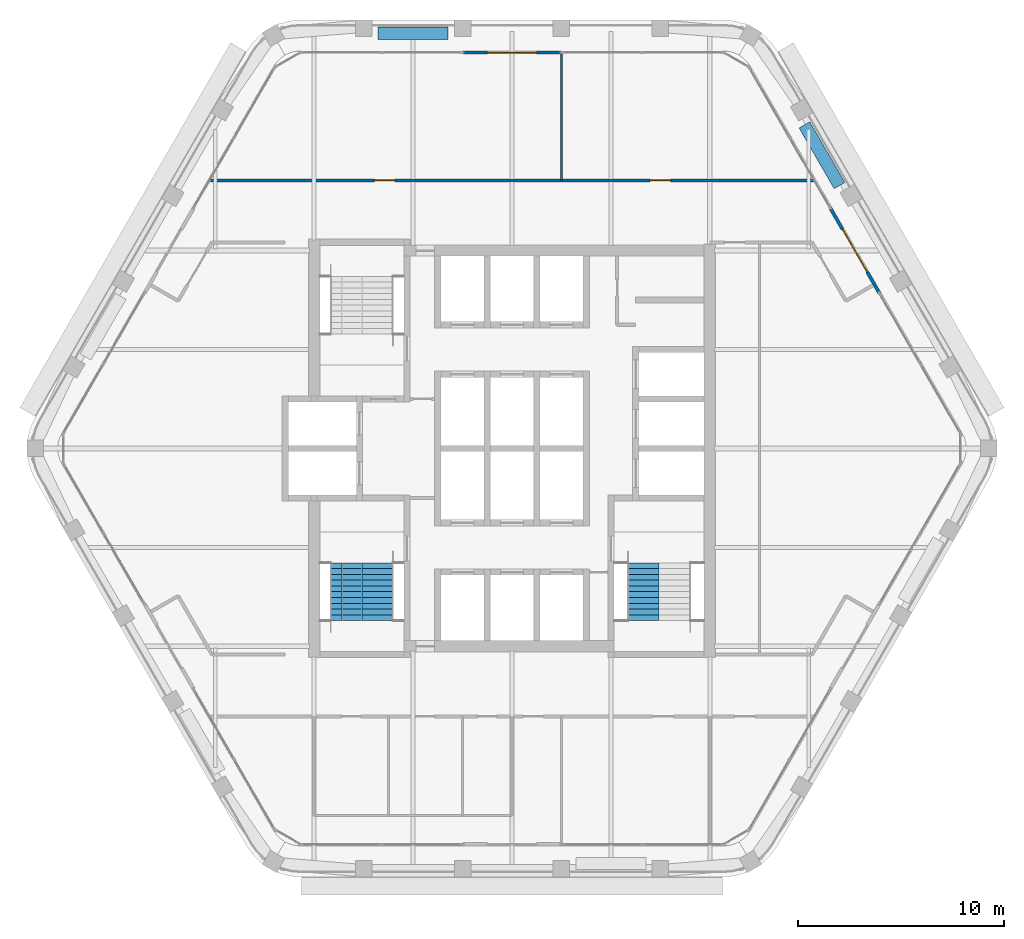
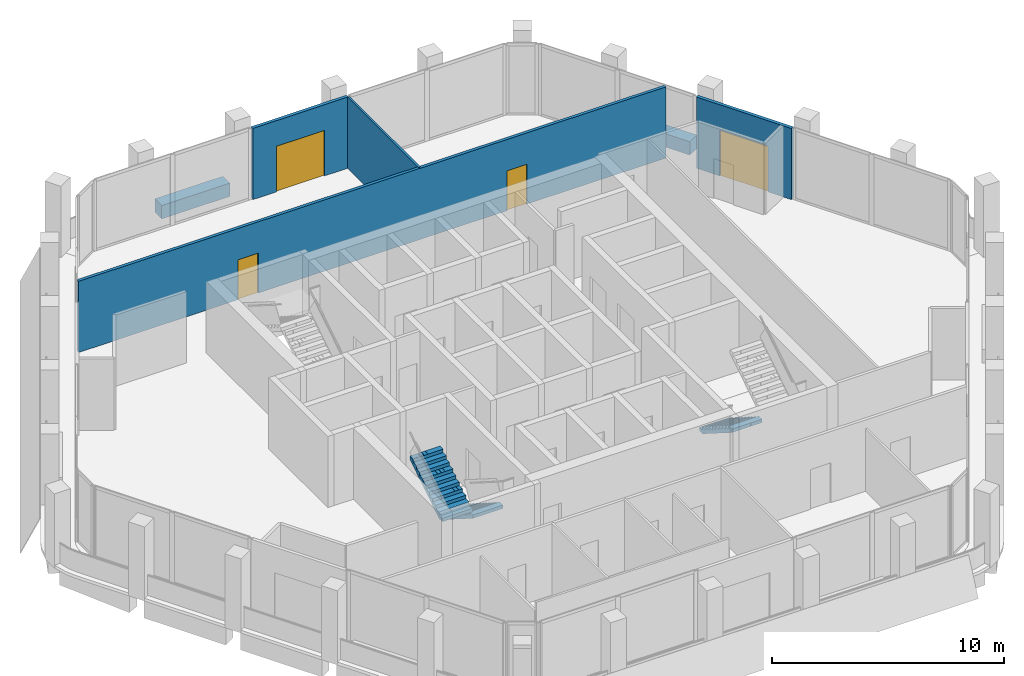
# One storey, part 10 of 13: 6 walls, 4 doors, 3 stair flights, 4 openings, 2 elements without a shape of their own.
"""IFC4 building model written with IfcOpenShell, lengths in metres."""

from ifc_helpers import new_model, si_unit, direction, frame, frame_2d, origin, place, context, subcontext, project, spatial, polyline, rectangle, outline, extrude, material, layer, layer_set, type_object, element, fill, aggregate, save


model = new_model("IFC4")

# Units and contexts
model_context = context("Model", 3, precision=1e-05, world=origin(), true_north=direction((0.0, 1.0)))
body_context = subcontext(model_context, "Body", "Model", "MODEL_VIEW")
ifc_project = project(units=[si_unit("LENGTHUNIT", "METRE"), si_unit("AREAUNIT", "SQUARE_METRE"), si_unit("VOLUMEUNIT", "CUBIC_METRE"), si_unit("PLANEANGLEUNIT", "RADIAN"), si_unit("MASSUNIT", "GRAM", prefix="KILO")], contexts=[model_context])

# Site, building, storey
site_placement = place(None, origin())
site = spatial("IfcSite", under=ifc_project, at=site_placement, CompositionType="ELEMENT")
building_placement = place(site_placement, origin())
building = spatial("IfcBuilding", under=site, at=building_placement, Name="Kolab Exchange Tower", CompositionType="ELEMENT")
storey_placement = place(building_placement, frame((0.0, 0.0, 273.5)))
storey = spatial("IfcBuildingStorey", under=building, at=storey_placement, Name="L61", CompositionType="ELEMENT", Elevation=273.5)

# Wall, opening, door
ifc_material_1 = material(Name="Aluminium EN AW-6063 T6", Category="aluminium")
ifc_layer_1 = layer(ifc_material_1, 0.159912109375)
ifc_layer_set_1 = layer_set([ifc_layer_1], Name="Aluminium EN AW-6063 T6")
wall_type_1 = type_object("IfcWallType", Name="DOOR SURROUND WALL 160 ALUMINIUM FRAMED", PredefinedType="PARTITIONING", material=ifc_layer_set_1)
wall_1_placement = place(storey_placement, frame((-2.3701171875, 19.20458984375, 0.0), z_axis=(0.0, 0.0, 1.0), x_axis=(1.0, 0.0, 0.0)))
wall_1 = element("IfcWall", 1, at=wall_1_placement, inside=storey, type_object=wall_type_1, Name="Door surround wall", PredefinedType="PARTITIONING", context=body_context, shape_type="SweptSolid", body=[
    extrude(rectangle(XDim=4.740234375, YDim=0.159912109375, at=frame_2d((2.3701171875, 0.0))), origin(), (0.0, 0.0, 1.0), 3.75),
])
opening_1_placement = place(wall_1_placement, frame((1.169921875, 0.0, 0.0)))
opening_1 = element("IfcOpeningElement", 2, at=opening_1_placement, cuts=wall_1, Name="Opening GD1-089", PredefinedType="OPENING", context=body_context, shape_type="SweptSolid", body=[
    extrude(rectangle(XDim=2.39990234375, YDim=2.39990234375, at=frame_2d((1.199951171875, 1.199951171875))), frame((0.0, 0.08984375, 0.0), z_axis=(0.0, -1.0, 0.0), x_axis=(1.0, 0.0, 0.0)), (0.0, 0.0, 1.0), 0.179931640625),
])
door_type_1 = type_object("IfcDoorType", Name="LOGGIA SLIDING GLASS DOOR 2400 X 2400", OperationType="DOUBLE_DOOR_SINGLE_SWING", PredefinedType="DOOR", material=ifc_material_1)
door_1_placement = place(opening_1_placement, origin())
door_1 = element("IfcDoor", 3, at=door_1_placement, inside=storey, type_object=door_type_1, Name="Loggia door", OperationType="DOUBLE_DOOR_SLIDING", OverallHeight=2.39990234375, OverallWidth=2.39990234375, PredefinedType="DOOR", context=body_context, shape_type="SweptSolid", body=[
    extrude(rectangle(XDim=2.39990234375, YDim=2.39990234375, at=frame_2d((1.199951171875, 1.199951171875))), frame((0.0, 0.02490234375, 0.0), z_axis=(0.0, -1.0, 0.0), x_axis=(1.0, 0.0, 0.0)), (0.0, 0.0, 1.0), 0.050048828125),
])
fill(opening_1, door_1)

wall_2_placement = place(storey_placement, frame((15.44677734375, 11.65478515625, 0.0), z_axis=(0.0, 0.0, 1.0), x_axis=(0.499978080042, -0.866038058908, 0.0)))
wall_2 = element("IfcWall", 4, at=wall_2_placement, inside=storey, type_object=wall_type_1, Name="Door surround wall", PredefinedType="PARTITIONING", context=body_context, shape_type="SweptSolid", body=[
    extrude(rectangle(XDim=4.739990234375, YDim=0.159912109375, at=frame_2d((2.3701171875, 0.0))), origin(), (0.0, 0.0, 1.0), 3.75),
])
opening_2_placement = place(wall_2_placement, frame((1.169921875, 0.0, 0.0)))
opening_2 = element("IfcOpeningElement", 5, at=opening_2_placement, cuts=wall_2, Name="Opening GD1-090", PredefinedType="OPENING", context=body_context, shape_type="SweptSolid", body=[
    extrude(rectangle(XDim=2.39990234375, YDim=2.39990234375, at=frame_2d((1.199951171875, 1.199951171875))), frame((0.0, 0.08984375, 0.0), z_axis=(0.0, -1.0, 0.0), x_axis=(1.0, 0.0, 0.0)), (0.0, 0.0, 1.0), 0.179931640625),
])
door_2_placement = place(opening_2_placement, origin())
door_2 = element("IfcDoor", 6, at=door_2_placement, inside=storey, type_object=door_type_1, Name="Loggia door", OperationType="DOUBLE_DOOR_SLIDING", OverallHeight=2.39990234375, OverallWidth=2.39990234375, PredefinedType="DOOR", context=body_context, shape_type="SweptSolid", body=[
    extrude(rectangle(XDim=2.39990234375, YDim=2.39990234375, at=frame_2d((1.199951171875, 1.199951171875))), frame((0.0, 0.02490234375, 0.0), z_axis=(0.0, -1.0, 0.0), x_axis=(1.0, 0.0, 0.0)), (0.0, 0.0, 1.0), 0.050048828125),
])
fill(opening_2, door_2)

# Wall
ifc_material_2 = material(Name="Gypsum board", Category="gypsum")
ifc_layer_2 = layer(ifc_material_2, 0.10009765625)
ifc_layer_set_2 = layer_set([ifc_layer_2], Name="Gypsum board")
wall_type_2 = type_object("IfcWallType", Name="PARTITION 100", PredefinedType="PARTITIONING", material=ifc_layer_set_2)
wall_3_placement = place(storey_placement, frame((2.39990234375, 13.0, 0.0), z_axis=(0.0, 0.0, 1.0), x_axis=(0.0, 1.0, 0.0)))
element("IfcWall", 7, at=wall_3_placement, inside=storey, type_object=wall_type_2, Name="Partition 004", PredefinedType="PARTITIONING", context=body_context, shape_type="SweptSolid", body=[
    extrude(rectangle(XDim=6.12451171875, YDim=0.10009765625, at=frame_2d((3.062255859375, 0.0))), origin(), (0.0, 0.0, 1.0), 3.75),
])

# Wall, openings, doors
ifc_layer_3 = layer(ifc_material_2, 0.14990234375)
ifc_layer_set_3 = layer_set([ifc_layer_3], Name="Gypsum board")
wall_type_3 = type_object("IfcWallType", Name="PARTITION 150 FIRE-RATED", PredefinedType="PARTITIONING", material=ifc_layer_set_3)
wall_4_placement = place(storey_placement, frame((-14.623779296875, 13.0, 0.0), z_axis=(0.0, 0.0, 1.0), x_axis=(1.0, 0.0, 0.0)))
wall_4 = element("IfcWall", 8, at=wall_4_placement, inside=storey, type_object=wall_type_3, Name="Partition 025", PredefinedType="PARTITIONING", context=body_context, shape_type="SweptSolid", body=[
    extrude(rectangle(XDim=29.24755859375, YDim=0.14990234375, at=frame_2d((14.623779296875, 0.0))), origin(), (0.0, 0.0, 1.0), 3.75),
])
opening_3_placement = place(wall_4_placement, frame((7.942626953125, 0.0, 0.0)))
opening_3 = element("IfcOpeningElement", 9, at=opening_3_placement, cuts=wall_4, Name="Opening D1-727", PredefinedType="OPENING", context=body_context, shape_type="SweptSolid", body=[
    extrude(rectangle(XDim=1.0, YDim=2.10009765625, at=frame_2d((0.5, 1.050048828125))), frame((0.0, 0.0849609375, 0.0), z_axis=(0.0, -1.0, 0.0), x_axis=(1.0, 0.0, 0.0)), (0.0, 0.0, 1.0), 0.169921875),
])
opening_4_placement = place(wall_4_placement, frame((21.32373046875, 0.0, 0.0)))
opening_4 = element("IfcOpeningElement", 10, at=opening_4_placement, cuts=wall_4, Name="Opening D1-728", PredefinedType="OPENING", context=body_context, shape_type="SweptSolid", body=[
    extrude(rectangle(XDim=1.0, YDim=2.10009765625, at=frame_2d((0.5, 1.050048828125))), frame((0.0, 0.0849609375, 0.0), z_axis=(0.0, -1.0, 0.0), x_axis=(1.0, 0.0, 0.0)), (0.0, 0.0, 1.0), 0.169921875),
])
ifc_material_3 = material(Name="Steel S235", Category="steel")
door_type_2 = type_object("IfcDoorType", Name="FLUSH DOOR 1000 FD60", OperationType="SINGLE_SWING_LEFT", PredefinedType="DOOR", material=ifc_material_3)
door_3_placement = place(opening_3_placement, origin())
door_3 = element("IfcDoor", 11, at=door_3_placement, inside=storey, type_object=door_type_2, Name="Door L61-029", OperationType="SINGLE_SWING_LEFT", OverallHeight=2.10009765625, OverallWidth=1.0, PredefinedType="DOOR", context=body_context, shape_type="SweptSolid", body=[
    extrude(rectangle(XDim=1.0, YDim=2.10009765625, at=frame_2d((0.5, 1.050048828125))), frame((0.0, 0.02490234375, 0.0), z_axis=(0.0, -1.0, 0.0), x_axis=(1.0, 0.0, 0.0)), (0.0, 0.0, 1.0), 0.050048828125),
])
fill(opening_3, door_3)
door_4_placement = place(opening_4_placement, origin())
door_4 = element("IfcDoor", 12, at=door_4_placement, inside=storey, type_object=door_type_2, Name="Door L61-030", OperationType="SINGLE_SWING_LEFT", OverallHeight=2.10009765625, OverallWidth=1.0, PredefinedType="DOOR", context=body_context, shape_type="SweptSolid", body=[
    extrude(rectangle(XDim=1.0, YDim=2.10009765625, at=frame_2d((0.5, 1.050048828125))), frame((0.0, 0.02490234375, 0.0), z_axis=(0.0, -1.0, 0.0), x_axis=(1.0, 0.0, 0.0)), (0.0, 0.0, 1.0), 0.050048828125),
])
fill(opening_4, door_4)

# Walls
ifc_material_4 = material(Name="Granite facing", Category="masonry")
ifc_layer_4 = layer(ifc_material_4, 0.0400390625)
ifc_material_5 = material(Name="Concrete C40/50 precast", Category="concrete")
ifc_layer_5 = layer(ifc_material_5, 0.56005859375)
ifc_layer_set_4 = layer_set([ifc_layer_4, ifc_layer_5], Name="Concrete C40/50 precast")
wall_type_4 = type_object("IfcWallType", Name="PLANTER BOX 600 X 700 SOIL DEPTH 550", PredefinedType="USERDEFINED", material=ifc_layer_set_4)
wall_5_placement = place(storey_placement, frame((-6.5, 20.134521484375, 0.0), z_axis=(0.0, 0.0, 1.0), x_axis=(1.0, 0.0, 0.0)))
element("IfcWall", 13, at=wall_5_placement, inside=storey, type_object=wall_type_4, Name="Planter", ObjectType="PLANTER", PredefinedType="USERDEFINED", context=body_context, shape_type="SweptSolid", body=[
    extrude(rectangle(XDim=3.39990234375, YDim=0.60009765625, at=frame_2d((1.699951171875, 0.0))), origin(), (0.0, 0.0, 1.0), 0.699951171875),
])
wall_6_placement = place(storey_placement, frame((14.18701171875, 15.696533203125, 0.0), z_axis=(0.0, 0.0, 1.0), x_axis=(0.499977295307, -0.866038511948, 0.0)))
element("IfcWall", 14, at=wall_6_placement, inside=storey, type_object=wall_type_4, Name="Planter", ObjectType="PLANTER", PredefinedType="USERDEFINED", context=body_context, shape_type="SweptSolid", body=[
    extrude(rectangle(XDim=3.400146484375, YDim=0.60009765625, at=frame_2d((1.7001953125, 0.0))), origin(), (0.0, 0.0, 1.0), 0.699951171875),
])

# Stair, stair flights
ifc_material_6 = material(Name="Concrete C50/60", Category="concrete")
stair_type_1 = type_object("IfcStairType", Name="STAIR ST3 RISER 177.3", PredefinedType="HALF_TURN_STAIR", material=ifc_material_6)
stair_1_placement = place(storey_placement, origin())
stair_1 = element("IfcStair", 15, at=stair_1_placement, inside=storey, type_object=stair_type_1, Name="Stair 3", PredefinedType="HALF_TURN_STAIR")
stair_flight_type = type_object("IfcStairFlightType", Name="STAIR FLIGHT 1500 RISER 177.3", PredefinedType="STRAIGHT", material=ifc_material_6)
stair_flight_1_placement = place(storey_placement, frame((-6.527587890625, -5.550048828125, 0.0), z_axis=(0.0, 0.0, 1.0), x_axis=(0.0, -1.0, 0.0)))
stair_flight_1 = element("IfcStairFlight", 16, at=stair_flight_1_placement, type_object=stair_flight_type, Name="ST3 flight 1", NumberOfRisers=11, NumberOfTreads=10, PredefinedType="STRAIGHT", RiserHeight=0.177272727, TreadLength=0.28, context=body_context, shape_type="SweptSolid", body=[
    extrude(outline(polyline([(0.0, 0.0), (0.0, 0.17724609375), (0.280029296875, 0.17724609375), (0.280029296875, 0.3544921875), (0.56005859375, 0.3544921875), (0.56005859375, 0.53173828125), (0.840087890625, 0.53173828125), (0.840087890625, 0.708984375), (1.1201171875, 0.708984375), (1.1201171875, 0.886474609375), (1.39990234375, 0.886474609375), (1.39990234375, 1.063720703125), (1.679931640625, 1.063720703125), (1.679931640625, 1.240966796875), (1.9599609375, 1.240966796875), (1.9599609375, 1.418212890625), (2.239990234375, 1.418212890625), (2.239990234375, 1.595458984375), (2.52001953125, 1.595458984375), (2.52001953125, 1.772705078125), (2.800048828125, 1.772705078125), (2.800048828125, 1.949951171875), (2.800048828125, 1.59521484375), (0.2802734375, 0.0), (0.0, 0.0)])), frame((0.0, 0.75, 0.0), z_axis=(0.0, -1.0, 0.0), x_axis=(1.0, 0.0, 0.0)), (0.0, 0.0, 1.0), 0.185791015625),
    extrude(outline(polyline([(0.0, 0.0), (0.0, 0.17724609375), (0.280029296875, 0.17724609375), (0.280029296875, 0.3544921875), (0.56005859375, 0.3544921875), (0.56005859375, 0.53173828125), (0.840087890625, 0.53173828125), (0.840087890625, 0.708984375), (1.1201171875, 0.708984375), (1.1201171875, 0.886474609375), (1.39990234375, 0.886474609375), (1.39990234375, 1.063720703125), (1.679931640625, 1.063720703125), (1.679931640625, 1.240966796875), (1.9599609375, 1.240966796875), (1.9599609375, 1.418212890625), (2.239990234375, 1.418212890625), (2.239990234375, 1.595458984375), (2.52001953125, 1.595458984375), (2.52001953125, 1.772705078125), (2.800048828125, 1.772705078125), (2.800048828125, 1.949951171875), (2.800048828125, 1.59521484375), (0.2802734375, 0.0), (0.0, 0.0)])), frame((0.0, 0.562255859375, 0.0), z_axis=(0.0, -1.0, 0.0), x_axis=(1.0, 0.0, 0.0)), (0.0, 0.0, 1.0), 0.185791015625),
    extrude(outline(polyline([(0.0, 0.0), (0.0, 0.17724609375), (0.280029296875, 0.17724609375), (0.280029296875, 0.3544921875), (0.56005859375, 0.3544921875), (0.56005859375, 0.53173828125), (0.840087890625, 0.53173828125), (0.840087890625, 0.708984375), (1.1201171875, 0.708984375), (1.1201171875, 0.886474609375), (1.39990234375, 0.886474609375), (1.39990234375, 1.063720703125), (1.679931640625, 1.063720703125), (1.679931640625, 1.240966796875), (1.9599609375, 1.240966796875), (1.9599609375, 1.418212890625), (2.239990234375, 1.418212890625), (2.239990234375, 1.595458984375), (2.52001953125, 1.595458984375), (2.52001953125, 1.772705078125), (2.800048828125, 1.772705078125), (2.800048828125, 1.949951171875), (2.800048828125, 1.59521484375), (0.2802734375, 0.0), (0.0, 0.0)])), frame((0.0, 0.37451171875, 0.0), z_axis=(0.0, -1.0, 0.0), x_axis=(1.0, 0.0, 0.0)), (0.0, 0.0, 1.0), 0.185791015625),
    extrude(outline(polyline([(0.0, 0.0), (0.0, 0.17724609375), (0.280029296875, 0.17724609375), (0.280029296875, 0.3544921875), (0.56005859375, 0.3544921875), (0.56005859375, 0.53173828125), (0.840087890625, 0.53173828125), (0.840087890625, 0.708984375), (1.1201171875, 0.708984375), (1.1201171875, 0.886474609375), (1.39990234375, 0.886474609375), (1.39990234375, 1.063720703125), (1.679931640625, 1.063720703125), (1.679931640625, 1.240966796875), (1.9599609375, 1.240966796875), (1.9599609375, 1.418212890625), (2.239990234375, 1.418212890625), (2.239990234375, 1.595458984375), (2.52001953125, 1.595458984375), (2.52001953125, 1.772705078125), (2.800048828125, 1.772705078125), (2.800048828125, 1.949951171875), (2.800048828125, 1.59521484375), (0.2802734375, 0.0), (0.0, 0.0)])), frame((0.0, 0.186767578125, 0.0), z_axis=(0.0, -1.0, 0.0), x_axis=(1.0, 0.0, 0.0)), (0.0, 0.0, 1.0), 0.185791015625),
    extrude(outline(polyline([(0.0, 0.0), (0.0, 0.17724609375), (0.280029296875, 0.17724609375), (0.280029296875, 0.3544921875), (0.56005859375, 0.3544921875), (0.56005859375, 0.53173828125), (0.840087890625, 0.53173828125), (0.840087890625, 0.708984375), (1.1201171875, 0.708984375), (1.1201171875, 0.886474609375), (1.39990234375, 0.886474609375), (1.39990234375, 1.063720703125), (1.679931640625, 1.063720703125), (1.679931640625, 1.240966796875), (1.9599609375, 1.240966796875), (1.9599609375, 1.418212890625), (2.239990234375, 1.418212890625), (2.239990234375, 1.595458984375), (2.52001953125, 1.595458984375), (2.52001953125, 1.772705078125), (2.800048828125, 1.772705078125), (2.800048828125, 1.949951171875), (2.800048828125, 1.59521484375), (0.2802734375, 0.0), (0.0, 0.0)])), frame((0.0, -0.0009765625, 0.0), z_axis=(0.0, -1.0, 0.0), x_axis=(1.0, 0.0, 0.0)), (0.0, 0.0, 1.0), 0.185791015625),
    extrude(outline(polyline([(0.0, 0.0), (0.0, 0.17724609375), (0.280029296875, 0.17724609375), (0.280029296875, 0.3544921875), (0.56005859375, 0.3544921875), (0.56005859375, 0.53173828125), (0.840087890625, 0.53173828125), (0.840087890625, 0.708984375), (1.1201171875, 0.708984375), (1.1201171875, 0.886474609375), (1.39990234375, 0.886474609375), (1.39990234375, 1.063720703125), (1.679931640625, 1.063720703125), (1.679931640625, 1.240966796875), (1.9599609375, 1.240966796875), (1.9599609375, 1.418212890625), (2.239990234375, 1.418212890625), (2.239990234375, 1.595458984375), (2.52001953125, 1.595458984375), (2.52001953125, 1.772705078125), (2.800048828125, 1.772705078125), (2.800048828125, 1.949951171875), (2.800048828125, 1.59521484375), (0.2802734375, 0.0), (0.0, 0.0)])), frame((0.0, -0.188720703125, 0.0), z_axis=(0.0, -1.0, 0.0), x_axis=(1.0, 0.0, 0.0)), (0.0, 0.0, 1.0), 0.185791015625),
    extrude(outline(polyline([(0.0, 0.0), (0.0, 0.17724609375), (0.280029296875, 0.17724609375), (0.280029296875, 0.3544921875), (0.56005859375, 0.3544921875), (0.56005859375, 0.53173828125), (0.840087890625, 0.53173828125), (0.840087890625, 0.708984375), (1.1201171875, 0.708984375), (1.1201171875, 0.886474609375), (1.39990234375, 0.886474609375), (1.39990234375, 1.063720703125), (1.679931640625, 1.063720703125), (1.679931640625, 1.240966796875), (1.9599609375, 1.240966796875), (1.9599609375, 1.418212890625), (2.239990234375, 1.418212890625), (2.239990234375, 1.595458984375), (2.52001953125, 1.595458984375), (2.52001953125, 1.772705078125), (2.800048828125, 1.772705078125), (2.800048828125, 1.949951171875), (2.800048828125, 1.59521484375), (0.2802734375, 0.0), (0.0, 0.0)])), frame((0.0, -0.37646484375, 0.0), z_axis=(0.0, -1.0, 0.0), x_axis=(1.0, 0.0, 0.0)), (0.0, 0.0, 1.0), 0.185791015625),
    extrude(outline(polyline([(0.0, 0.0), (0.0, 0.17724609375), (0.280029296875, 0.17724609375), (0.280029296875, 0.3544921875), (0.56005859375, 0.3544921875), (0.56005859375, 0.53173828125), (0.840087890625, 0.53173828125), (0.840087890625, 0.708984375), (1.1201171875, 0.708984375), (1.1201171875, 0.886474609375), (1.39990234375, 0.886474609375), (1.39990234375, 1.063720703125), (1.679931640625, 1.063720703125), (1.679931640625, 1.240966796875), (1.9599609375, 1.240966796875), (1.9599609375, 1.418212890625), (2.239990234375, 1.418212890625), (2.239990234375, 1.595458984375), (2.52001953125, 1.595458984375), (2.52001953125, 1.772705078125), (2.800048828125, 1.772705078125), (2.800048828125, 1.949951171875), (2.800048828125, 1.59521484375), (0.2802734375, 0.0), (0.0, 0.0)])), frame((0.0, -0.564208984375, 0.0), z_axis=(0.0, -1.0, 0.0), x_axis=(1.0, 0.0, 0.0)), (0.0, 0.0, 1.0), 0.185791015625),
])
stair_flight_2_placement = place(storey_placement, frame((-8.047607421875, -8.35009765625, 1.949951171875), z_axis=(0.0, 0.0, 1.0), x_axis=(0.0, 1.0, 0.0)))
stair_flight_2 = element("IfcStairFlight", 17, at=stair_flight_2_placement, type_object=stair_flight_type, Name="ST3 flight 2", NumberOfRisers=11, NumberOfTreads=10, PredefinedType="STRAIGHT", RiserHeight=0.177272727, TreadLength=0.28, context=body_context, shape_type="SweptSolid", body=[
    extrude(outline(polyline([(0.0, 0.0), (0.0, 0.17724609375), (0.280029296875, 0.17724609375), (0.280029296875, 0.3544921875), (0.56005859375, 0.3544921875), (0.56005859375, 0.53173828125), (0.840087890625, 0.53173828125), (0.840087890625, 0.708984375), (1.1201171875, 0.708984375), (1.1201171875, 0.886474609375), (1.39990234375, 0.886474609375), (1.39990234375, 1.063720703125), (1.679931640625, 1.063720703125), (1.679931640625, 1.240966796875), (1.9599609375, 1.240966796875), (1.9599609375, 1.418212890625), (2.239990234375, 1.418212890625), (2.239990234375, 1.595458984375), (2.52001953125, 1.595458984375), (2.52001953125, 1.772705078125), (2.800048828125, 1.772705078125), (2.800048828125, 1.949951171875), (2.800048828125, 1.59521484375), (0.2802734375, 0.0), (0.0, 0.0)])), frame((0.0, 0.75, 0.0), z_axis=(0.0, -1.0, 0.0), x_axis=(1.0, 0.0, 0.0)), (0.0, 0.0, 1.0), 0.185791015625),
    extrude(outline(polyline([(0.0, 0.0), (0.0, 0.17724609375), (0.280029296875, 0.17724609375), (0.280029296875, 0.3544921875), (0.56005859375, 0.3544921875), (0.56005859375, 0.53173828125), (0.840087890625, 0.53173828125), (0.840087890625, 0.708984375), (1.1201171875, 0.708984375), (1.1201171875, 0.886474609375), (1.39990234375, 0.886474609375), (1.39990234375, 1.063720703125), (1.679931640625, 1.063720703125), (1.679931640625, 1.240966796875), (1.9599609375, 1.240966796875), (1.9599609375, 1.418212890625), (2.239990234375, 1.418212890625), (2.239990234375, 1.595458984375), (2.52001953125, 1.595458984375), (2.52001953125, 1.772705078125), (2.800048828125, 1.772705078125), (2.800048828125, 1.949951171875), (2.800048828125, 1.59521484375), (0.2802734375, 0.0), (0.0, 0.0)])), frame((0.0, 0.562255859375, 0.0), z_axis=(0.0, -1.0, 0.0), x_axis=(1.0, 0.0, 0.0)), (0.0, 0.0, 1.0), 0.185791015625),
    extrude(outline(polyline([(0.0, 0.0), (0.0, 0.17724609375), (0.280029296875, 0.17724609375), (0.280029296875, 0.3544921875), (0.56005859375, 0.3544921875), (0.56005859375, 0.53173828125), (0.840087890625, 0.53173828125), (0.840087890625, 0.708984375), (1.1201171875, 0.708984375), (1.1201171875, 0.886474609375), (1.39990234375, 0.886474609375), (1.39990234375, 1.063720703125), (1.679931640625, 1.063720703125), (1.679931640625, 1.240966796875), (1.9599609375, 1.240966796875), (1.9599609375, 1.418212890625), (2.239990234375, 1.418212890625), (2.239990234375, 1.595458984375), (2.52001953125, 1.595458984375), (2.52001953125, 1.772705078125), (2.800048828125, 1.772705078125), (2.800048828125, 1.949951171875), (2.800048828125, 1.59521484375), (0.2802734375, 0.0), (0.0, 0.0)])), frame((0.0, 0.37451171875, 0.0), z_axis=(0.0, -1.0, 0.0), x_axis=(1.0, 0.0, 0.0)), (0.0, 0.0, 1.0), 0.185791015625),
    extrude(outline(polyline([(0.0, 0.0), (0.0, 0.17724609375), (0.280029296875, 0.17724609375), (0.280029296875, 0.3544921875), (0.56005859375, 0.3544921875), (0.56005859375, 0.53173828125), (0.840087890625, 0.53173828125), (0.840087890625, 0.708984375), (1.1201171875, 0.708984375), (1.1201171875, 0.886474609375), (1.39990234375, 0.886474609375), (1.39990234375, 1.063720703125), (1.679931640625, 1.063720703125), (1.679931640625, 1.240966796875), (1.9599609375, 1.240966796875), (1.9599609375, 1.418212890625), (2.239990234375, 1.418212890625), (2.239990234375, 1.595458984375), (2.52001953125, 1.595458984375), (2.52001953125, 1.772705078125), (2.800048828125, 1.772705078125), (2.800048828125, 1.949951171875), (2.800048828125, 1.59521484375), (0.2802734375, 0.0), (0.0, 0.0)])), frame((0.0, 0.186767578125, 0.0), z_axis=(0.0, -1.0, 0.0), x_axis=(1.0, 0.0, 0.0)), (0.0, 0.0, 1.0), 0.185791015625),
    extrude(outline(polyline([(0.0, 0.0), (0.0, 0.17724609375), (0.280029296875, 0.17724609375), (0.280029296875, 0.3544921875), (0.56005859375, 0.3544921875), (0.56005859375, 0.53173828125), (0.840087890625, 0.53173828125), (0.840087890625, 0.708984375), (1.1201171875, 0.708984375), (1.1201171875, 0.886474609375), (1.39990234375, 0.886474609375), (1.39990234375, 1.063720703125), (1.679931640625, 1.063720703125), (1.679931640625, 1.240966796875), (1.9599609375, 1.240966796875), (1.9599609375, 1.418212890625), (2.239990234375, 1.418212890625), (2.239990234375, 1.595458984375), (2.52001953125, 1.595458984375), (2.52001953125, 1.772705078125), (2.800048828125, 1.772705078125), (2.800048828125, 1.949951171875), (2.800048828125, 1.59521484375), (0.2802734375, 0.0), (0.0, 0.0)])), frame((0.0, -0.0009765625, 0.0), z_axis=(0.0, -1.0, 0.0), x_axis=(1.0, 0.0, 0.0)), (0.0, 0.0, 1.0), 0.185791015625),
    extrude(outline(polyline([(0.0, 0.0), (0.0, 0.17724609375), (0.280029296875, 0.17724609375), (0.280029296875, 0.3544921875), (0.56005859375, 0.3544921875), (0.56005859375, 0.53173828125), (0.840087890625, 0.53173828125), (0.840087890625, 0.708984375), (1.1201171875, 0.708984375), (1.1201171875, 0.886474609375), (1.39990234375, 0.886474609375), (1.39990234375, 1.063720703125), (1.679931640625, 1.063720703125), (1.679931640625, 1.240966796875), (1.9599609375, 1.240966796875), (1.9599609375, 1.418212890625), (2.239990234375, 1.418212890625), (2.239990234375, 1.595458984375), (2.52001953125, 1.595458984375), (2.52001953125, 1.772705078125), (2.800048828125, 1.772705078125), (2.800048828125, 1.949951171875), (2.800048828125, 1.59521484375), (0.2802734375, 0.0), (0.0, 0.0)])), frame((0.0, -0.188720703125, 0.0), z_axis=(0.0, -1.0, 0.0), x_axis=(1.0, 0.0, 0.0)), (0.0, 0.0, 1.0), 0.185791015625),
    extrude(outline(polyline([(0.0, 0.0), (0.0, 0.17724609375), (0.280029296875, 0.17724609375), (0.280029296875, 0.3544921875), (0.56005859375, 0.3544921875), (0.56005859375, 0.53173828125), (0.840087890625, 0.53173828125), (0.840087890625, 0.708984375), (1.1201171875, 0.708984375), (1.1201171875, 0.886474609375), (1.39990234375, 0.886474609375), (1.39990234375, 1.063720703125), (1.679931640625, 1.063720703125), (1.679931640625, 1.240966796875), (1.9599609375, 1.240966796875), (1.9599609375, 1.418212890625), (2.239990234375, 1.418212890625), (2.239990234375, 1.595458984375), (2.52001953125, 1.595458984375), (2.52001953125, 1.772705078125), (2.800048828125, 1.772705078125), (2.800048828125, 1.949951171875), (2.800048828125, 1.59521484375), (0.2802734375, 0.0), (0.0, 0.0)])), frame((0.0, -0.37646484375, 0.0), z_axis=(0.0, -1.0, 0.0), x_axis=(1.0, 0.0, 0.0)), (0.0, 0.0, 1.0), 0.185791015625),
    extrude(outline(polyline([(0.0, 0.0), (0.0, 0.17724609375), (0.280029296875, 0.17724609375), (0.280029296875, 0.3544921875), (0.56005859375, 0.3544921875), (0.56005859375, 0.53173828125), (0.840087890625, 0.53173828125), (0.840087890625, 0.708984375), (1.1201171875, 0.708984375), (1.1201171875, 0.886474609375), (1.39990234375, 0.886474609375), (1.39990234375, 1.063720703125), (1.679931640625, 1.063720703125), (1.679931640625, 1.240966796875), (1.9599609375, 1.240966796875), (1.9599609375, 1.418212890625), (2.239990234375, 1.418212890625), (2.239990234375, 1.595458984375), (2.52001953125, 1.595458984375), (2.52001953125, 1.772705078125), (2.800048828125, 1.772705078125), (2.800048828125, 1.949951171875), (2.800048828125, 1.59521484375), (0.2802734375, 0.0), (0.0, 0.0)])), frame((0.0, -0.564208984375, 0.0), z_axis=(0.0, -1.0, 0.0), x_axis=(1.0, 0.0, 0.0)), (0.0, 0.0, 1.0), 0.185791015625),
])
aggregate(stair_1, [stair_flight_1, stair_flight_2])

# Stair, stair flight
stair_type_2 = type_object("IfcStairType", Name="STAIR ST2 RISER 177.3", PredefinedType="HALF_TURN_STAIR", material=ifc_material_6)
stair_2_placement = place(storey_placement, origin())
stair_2 = element("IfcStair", 18, at=stair_2_placement, inside=storey, type_object=stair_type_2, Name="Stair 2", PredefinedType="HALF_TURN_STAIR")
stair_flight_3_placement = place(storey_placement, frame((6.37744140625, -5.550048828125, 0.0), z_axis=(0.0, 0.0, 1.0), x_axis=(0.0, -1.0, 0.0)))
stair_flight_3 = element("IfcStairFlight", 19, at=stair_flight_3_placement, type_object=stair_flight_type, Name="ST2 flight 1", NumberOfRisers=11, NumberOfTreads=10, PredefinedType="STRAIGHT", RiserHeight=0.177272727, TreadLength=0.28, context=body_context, shape_type="SweptSolid", body=[
    extrude(outline(polyline([(0.0, 0.0), (0.0, 0.17724609375), (0.280029296875, 0.17724609375), (0.280029296875, 0.3544921875), (0.56005859375, 0.3544921875), (0.56005859375, 0.53173828125), (0.840087890625, 0.53173828125), (0.840087890625, 0.708984375), (1.1201171875, 0.708984375), (1.1201171875, 0.886474609375), (1.39990234375, 0.886474609375), (1.39990234375, 1.063720703125), (1.679931640625, 1.063720703125), (1.679931640625, 1.240966796875), (1.9599609375, 1.240966796875), (1.9599609375, 1.418212890625), (2.239990234375, 1.418212890625), (2.239990234375, 1.595458984375), (2.52001953125, 1.595458984375), (2.52001953125, 1.772705078125), (2.800048828125, 1.772705078125), (2.800048828125, 1.949951171875), (2.800048828125, 1.59521484375), (0.2802734375, 0.0), (0.0, 0.0)])), frame((0.0, 0.75, 0.0), z_axis=(0.0, -1.0, 0.0), x_axis=(1.0, 0.0, 0.0)), (0.0, 0.0, 1.0), 0.185791015625),
    extrude(outline(polyline([(0.0, 0.0), (0.0, 0.17724609375), (0.280029296875, 0.17724609375), (0.280029296875, 0.3544921875), (0.56005859375, 0.3544921875), (0.56005859375, 0.53173828125), (0.840087890625, 0.53173828125), (0.840087890625, 0.708984375), (1.1201171875, 0.708984375), (1.1201171875, 0.886474609375), (1.39990234375, 0.886474609375), (1.39990234375, 1.063720703125), (1.679931640625, 1.063720703125), (1.679931640625, 1.240966796875), (1.9599609375, 1.240966796875), (1.9599609375, 1.418212890625), (2.239990234375, 1.418212890625), (2.239990234375, 1.595458984375), (2.52001953125, 1.595458984375), (2.52001953125, 1.772705078125), (2.800048828125, 1.772705078125), (2.800048828125, 1.949951171875), (2.800048828125, 1.59521484375), (0.2802734375, 0.0), (0.0, 0.0)])), frame((0.0, 0.562255859375, 0.0), z_axis=(0.0, -1.0, 0.0), x_axis=(1.0, 0.0, 0.0)), (0.0, 0.0, 1.0), 0.185791015625),
    extrude(outline(polyline([(0.0, 0.0), (0.0, 0.17724609375), (0.280029296875, 0.17724609375), (0.280029296875, 0.3544921875), (0.56005859375, 0.3544921875), (0.56005859375, 0.53173828125), (0.840087890625, 0.53173828125), (0.840087890625, 0.708984375), (1.1201171875, 0.708984375), (1.1201171875, 0.886474609375), (1.39990234375, 0.886474609375), (1.39990234375, 1.063720703125), (1.679931640625, 1.063720703125), (1.679931640625, 1.240966796875), (1.9599609375, 1.240966796875), (1.9599609375, 1.418212890625), (2.239990234375, 1.418212890625), (2.239990234375, 1.595458984375), (2.52001953125, 1.595458984375), (2.52001953125, 1.772705078125), (2.800048828125, 1.772705078125), (2.800048828125, 1.949951171875), (2.800048828125, 1.59521484375), (0.2802734375, 0.0), (0.0, 0.0)])), frame((0.0, 0.37451171875, 0.0), z_axis=(0.0, -1.0, 0.0), x_axis=(1.0, 0.0, 0.0)), (0.0, 0.0, 1.0), 0.185791015625),
    extrude(outline(polyline([(0.0, 0.0), (0.0, 0.17724609375), (0.280029296875, 0.17724609375), (0.280029296875, 0.3544921875), (0.56005859375, 0.3544921875), (0.56005859375, 0.53173828125), (0.840087890625, 0.53173828125), (0.840087890625, 0.708984375), (1.1201171875, 0.708984375), (1.1201171875, 0.886474609375), (1.39990234375, 0.886474609375), (1.39990234375, 1.063720703125), (1.679931640625, 1.063720703125), (1.679931640625, 1.240966796875), (1.9599609375, 1.240966796875), (1.9599609375, 1.418212890625), (2.239990234375, 1.418212890625), (2.239990234375, 1.595458984375), (2.52001953125, 1.595458984375), (2.52001953125, 1.772705078125), (2.800048828125, 1.772705078125), (2.800048828125, 1.949951171875), (2.800048828125, 1.59521484375), (0.2802734375, 0.0), (0.0, 0.0)])), frame((0.0, 0.186767578125, 0.0), z_axis=(0.0, -1.0, 0.0), x_axis=(1.0, 0.0, 0.0)), (0.0, 0.0, 1.0), 0.185791015625),
    extrude(outline(polyline([(0.0, 0.0), (0.0, 0.17724609375), (0.280029296875, 0.17724609375), (0.280029296875, 0.3544921875), (0.56005859375, 0.3544921875), (0.56005859375, 0.53173828125), (0.840087890625, 0.53173828125), (0.840087890625, 0.708984375), (1.1201171875, 0.708984375), (1.1201171875, 0.886474609375), (1.39990234375, 0.886474609375), (1.39990234375, 1.063720703125), (1.679931640625, 1.063720703125), (1.679931640625, 1.240966796875), (1.9599609375, 1.240966796875), (1.9599609375, 1.418212890625), (2.239990234375, 1.418212890625), (2.239990234375, 1.595458984375), (2.52001953125, 1.595458984375), (2.52001953125, 1.772705078125), (2.800048828125, 1.772705078125), (2.800048828125, 1.949951171875), (2.800048828125, 1.59521484375), (0.2802734375, 0.0), (0.0, 0.0)])), frame((0.0, -0.0009765625, 0.0), z_axis=(0.0, -1.0, 0.0), x_axis=(1.0, 0.0, 0.0)), (0.0, 0.0, 1.0), 0.185791015625),
    extrude(outline(polyline([(0.0, 0.0), (0.0, 0.17724609375), (0.280029296875, 0.17724609375), (0.280029296875, 0.3544921875), (0.56005859375, 0.3544921875), (0.56005859375, 0.53173828125), (0.840087890625, 0.53173828125), (0.840087890625, 0.708984375), (1.1201171875, 0.708984375), (1.1201171875, 0.886474609375), (1.39990234375, 0.886474609375), (1.39990234375, 1.063720703125), (1.679931640625, 1.063720703125), (1.679931640625, 1.240966796875), (1.9599609375, 1.240966796875), (1.9599609375, 1.418212890625), (2.239990234375, 1.418212890625), (2.239990234375, 1.595458984375), (2.52001953125, 1.595458984375), (2.52001953125, 1.772705078125), (2.800048828125, 1.772705078125), (2.800048828125, 1.949951171875), (2.800048828125, 1.59521484375), (0.2802734375, 0.0), (0.0, 0.0)])), frame((0.0, -0.188720703125, 0.0), z_axis=(0.0, -1.0, 0.0), x_axis=(1.0, 0.0, 0.0)), (0.0, 0.0, 1.0), 0.185791015625),
    extrude(outline(polyline([(0.0, 0.0), (0.0, 0.17724609375), (0.280029296875, 0.17724609375), (0.280029296875, 0.3544921875), (0.56005859375, 0.3544921875), (0.56005859375, 0.53173828125), (0.840087890625, 0.53173828125), (0.840087890625, 0.708984375), (1.1201171875, 0.708984375), (1.1201171875, 0.886474609375), (1.39990234375, 0.886474609375), (1.39990234375, 1.063720703125), (1.679931640625, 1.063720703125), (1.679931640625, 1.240966796875), (1.9599609375, 1.240966796875), (1.9599609375, 1.418212890625), (2.239990234375, 1.418212890625), (2.239990234375, 1.595458984375), (2.52001953125, 1.595458984375), (2.52001953125, 1.772705078125), (2.800048828125, 1.772705078125), (2.800048828125, 1.949951171875), (2.800048828125, 1.59521484375), (0.2802734375, 0.0), (0.0, 0.0)])), frame((0.0, -0.37646484375, 0.0), z_axis=(0.0, -1.0, 0.0), x_axis=(1.0, 0.0, 0.0)), (0.0, 0.0, 1.0), 0.185791015625),
    extrude(outline(polyline([(0.0, 0.0), (0.0, 0.17724609375), (0.280029296875, 0.17724609375), (0.280029296875, 0.3544921875), (0.56005859375, 0.3544921875), (0.56005859375, 0.53173828125), (0.840087890625, 0.53173828125), (0.840087890625, 0.708984375), (1.1201171875, 0.708984375), (1.1201171875, 0.886474609375), (1.39990234375, 0.886474609375), (1.39990234375, 1.063720703125), (1.679931640625, 1.063720703125), (1.679931640625, 1.240966796875), (1.9599609375, 1.240966796875), (1.9599609375, 1.418212890625), (2.239990234375, 1.418212890625), (2.239990234375, 1.595458984375), (2.52001953125, 1.595458984375), (2.52001953125, 1.772705078125), (2.800048828125, 1.772705078125), (2.800048828125, 1.949951171875), (2.800048828125, 1.59521484375), (0.2802734375, 0.0), (0.0, 0.0)])), frame((0.0, -0.564208984375, 0.0), z_axis=(0.0, -1.0, 0.0), x_axis=(1.0, 0.0, 0.0)), (0.0, 0.0, 1.0), 0.185791015625),
])
aggregate(stair_2, [stair_flight_3])

save(model, "model.ifc")
